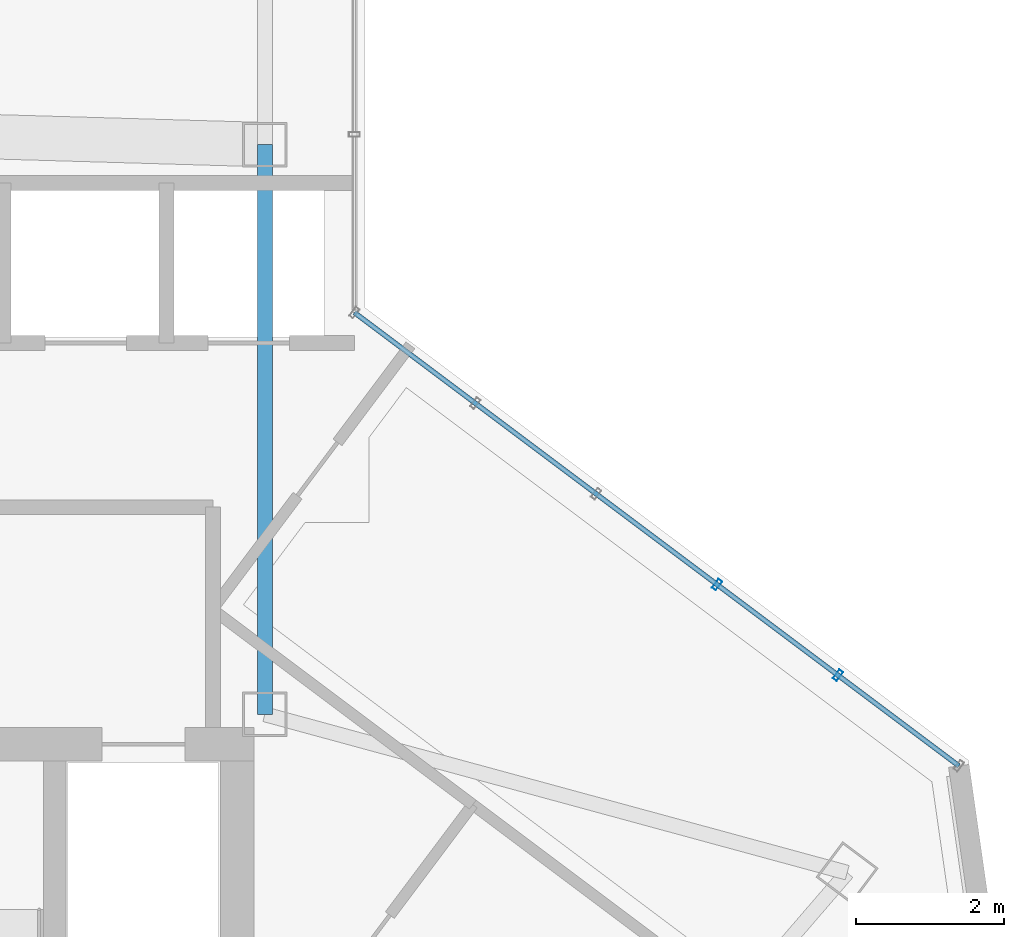
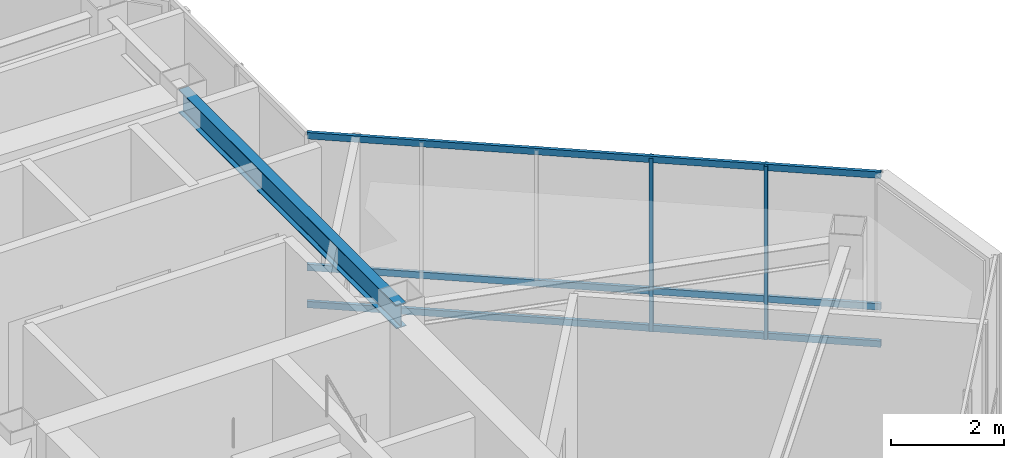
# One storey, part 17 of 29: 5 members, 1 beam, 1 element without a shape of its own.
"""IFC4 building model written with IfcOpenShell, lengths in metres."""

from ifc_helpers import new_model, si_unit, direction, frame, origin, origin_2d, place, context, subcontext, project, spatial, hollow_rectangle, i_section, extrude, material, layer, layer_set, material_profile, profile_set, type_object, element, aggregate, save


model = new_model("IFC4")

# Units and contexts
model_context = context("Model", 3, precision=1e-05, world=origin(), true_north=direction((0.0, 1.0)))
body_context = subcontext(model_context, "Body", "Model", "MODEL_VIEW")
ifc_project = project(units=[si_unit("LENGTHUNIT", "METRE"), si_unit("AREAUNIT", "SQUARE_METRE"), si_unit("VOLUMEUNIT", "CUBIC_METRE"), si_unit("PLANEANGLEUNIT", "RADIAN"), si_unit("MASSUNIT", "GRAM", prefix="KILO")], contexts=[model_context])

# Site, building, storey
site_placement = place(None, origin())
site = spatial("IfcSite", under=ifc_project, at=site_placement, CompositionType="ELEMENT")
building_placement = place(site_placement, origin())
building = spatial("IfcBuilding", under=site, at=building_placement, Name="Hatsunagi Terrace Concourse", CompositionType="ELEMENT")
storey_placement = place(building_placement, frame((0.0, 0.0, 277.949951171875)))
storey = spatial("IfcBuildingStorey", under=building, at=storey_placement, Name="L73", CompositionType="ELEMENT", Elevation=277.949951171875)

# Beam
ifc_material_1 = material(Name="Steel SN490B", Category="steel")
ifc_material_profile_1 = material_profile(ifc_material_1, i_section(OverallWidth=0.199951171875, OverallDepth=0.5, WebThickness=0.010009765625, FlangeThickness=0.01611328125, FilletRadius=0.01611328125, at=origin_2d()), Name="H-500x200x10x16")
ifc_profile_set_1 = profile_set([ifc_material_profile_1], Name="Steel SN490B")
beam_type = type_object("IfcBeamType", Name="CrownFloorGirder_H_500x200", PredefinedType="BEAM", material=ifc_profile_set_1)
beam_placement = place(storey_placement, frame((43.64990234375, 35.300048828125, 3.5), z_axis=(0.0, 1.0, 0.0), x_axis=(-1.0, 0.0, 0.0)))
element("IfcBeam", 1, at=beam_placement, inside=storey, type_object=beam_type, Name="Beam G-07 BM-L73-CBK3", PredefinedType="BEAM", context=body_context, shape_type="SweptSolid", body=[
    extrude(i_section(OverallWidth=0.199951171875, OverallDepth=0.5, WebThickness=0.010009765625, FlangeThickness=0.01611328125, FilletRadius=0.01611328125, at=origin_2d()), origin(), (0.0, 0.0, 1.0), 7.699951171875),
])

# Curtain wall, members
ifc_material_2 = material(Name="Anodised Aluminium Alloy 6063-T5", Category="aluminium")
ifc_layer = layer(ifc_material_2, 0.199951171875)
ifc_layer_set = layer_set([ifc_layer], Name="CrownWintergarden_CW06")
curtain_wall_type = type_object("IfcCurtainWallType", Name="CrownWintergarden_CW06", PredefinedType="NOTDEFINED", material=ifc_layer_set)
curtain_wall_placement = place(storey_placement, origin())
curtain_wall = element("IfcCurtainWall", 2, at=curtain_wall_placement, inside=storey, type_object=curtain_wall_type, Name="Unitised Curtain Wall CW-06 CW-L73-01", PredefinedType="NOTDEFINED")
ifc_material_3 = material(Name="Anodised Aluminium Alloy 6063-T5", Category="aluminium")
ifc_material_profile_2 = material_profile(ifc_material_3, hollow_rectangle(XDim=0.06494140625, YDim=0.14990234375, WallThickness=0.00390625, at=origin_2d()), Name="ALU-MUL-150x65x4")
ifc_profile_set_2 = profile_set([ifc_material_profile_2], Name="Anodised Aluminium Alloy 6063-T5")
member_type_1 = type_object("IfcMemberType", Name="CurtainWallMullion_Crown_150x65", PredefinedType="MULLION", material=ifc_profile_set_2)
member_1_placement = place(storey_placement, frame((49.761962890625, 37.053955078125, 0.0), z_axis=(0.0, 0.0, 1.0), x_axis=(0.800023013105, -0.599969314634, 0.0)))
member_1 = element("IfcMember", 3, at=member_1_placement, type_object=member_type_1, Name="Curtain Wall Mullion MUL-03", PredefinedType="MULLION", context=body_context, shape_type="SweptSolid", body=[
    extrude(hollow_rectangle(XDim=0.06494140625, YDim=0.14990234375, WallThickness=0.00390625, at=origin_2d()), origin(), (0.0, 0.0, 1.0), 3.739990234375),
])
member_2_placement = place(storey_placement, frame((51.39599609375, 35.827880859375, 0.0), z_axis=(0.0, 0.0, 1.0), x_axis=(0.800023013105, -0.599969314634, 0.0)))
member_2 = element("IfcMember", 4, at=member_2_placement, type_object=member_type_1, Name="Curtain Wall Mullion MUL-03", PredefinedType="MULLION", context=body_context, shape_type="SweptSolid", body=[
    extrude(hollow_rectangle(XDim=0.06494140625, YDim=0.14990234375, WallThickness=0.00390625, at=origin_2d()), origin(), (0.0, 0.0, 1.0), 3.739990234375),
])
ifc_material_4 = material(Name="Anodised Aluminium Alloy 6063-T5", Category="aluminium")
ifc_material_profile_3 = material_profile(ifc_material_4, hollow_rectangle(XDim=0.06494140625, YDim=0.139892578125, WallThickness=0.00390625, at=origin_2d()), Name="ALU-TRN-140x65x4")
ifc_profile_set_3 = profile_set([ifc_material_profile_3], Name="Anodised Aluminium Alloy 6063-T5")
member_type_2 = type_object("IfcMemberType", Name="CurtainWallTransom_140x65", PredefinedType="USERDEFINED", material=ifc_profile_set_3)
member_3_placement = place(storey_placement, frame((44.860107421875, 40.72998046875, 0.050048828125), z_axis=(0.800022950109, -0.599969398635, 0.0), x_axis=(0.599969398635, 0.800022950109, 0.0)))
member_3 = element("IfcMember", 5, at=member_3_placement, type_object=member_type_2, Name="Curtain Wall Transom TRN-02", ObjectType="TRANSOM", PredefinedType="USERDEFINED", context=body_context, shape_type="SweptSolid", body=[
    extrude(hollow_rectangle(XDim=0.06494140625, YDim=0.139892578125, WallThickness=0.00390625, at=origin_2d()), origin(), (0.0, 0.0, 1.0), 10.212158203125),
])
member_4_placement = place(storey_placement, frame((44.860107421875, 40.72998046875, 0.85009765625), z_axis=(0.800022950109, -0.599969398635, 0.0), x_axis=(0.599969398635, 0.800022950109, 0.0)))
member_4 = element("IfcMember", 6, at=member_4_placement, type_object=member_type_2, Name="Curtain Wall Transom TRN-02", ObjectType="TRANSOM", PredefinedType="USERDEFINED", context=body_context, shape_type="SweptSolid", body=[
    extrude(hollow_rectangle(XDim=0.06494140625, YDim=0.139892578125, WallThickness=0.00390625, at=origin_2d()), origin(), (0.0, 0.0, 1.0), 10.212158203125),
])
member_5_placement = place(storey_placement, frame((44.860107421875, 40.72998046875, 3.68994140625), z_axis=(0.800022950109, -0.599969398635, 0.0), x_axis=(0.599969398635, 0.800022950109, 0.0)))
member_5 = element("IfcMember", 7, at=member_5_placement, type_object=member_type_2, Name="Curtain Wall Transom TRN-02", ObjectType="TRANSOM", PredefinedType="USERDEFINED", context=body_context, shape_type="SweptSolid", body=[
    extrude(hollow_rectangle(XDim=0.06494140625, YDim=0.139892578125, WallThickness=0.00390625, at=origin_2d()), origin(), (0.0, 0.0, 1.0), 10.212158203125),
])
aggregate(curtain_wall, [member_1, member_2, member_3, member_4, member_5])

save(model, "model.ifc")
